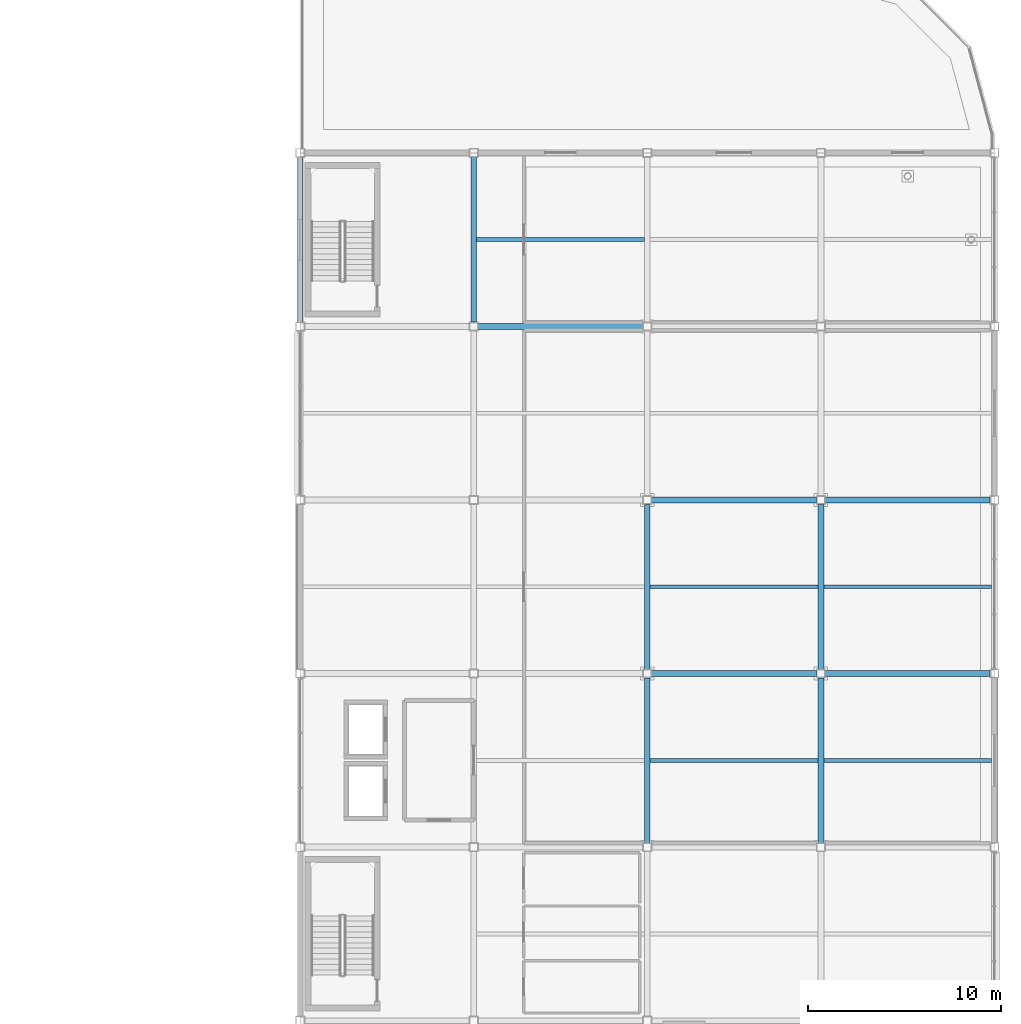
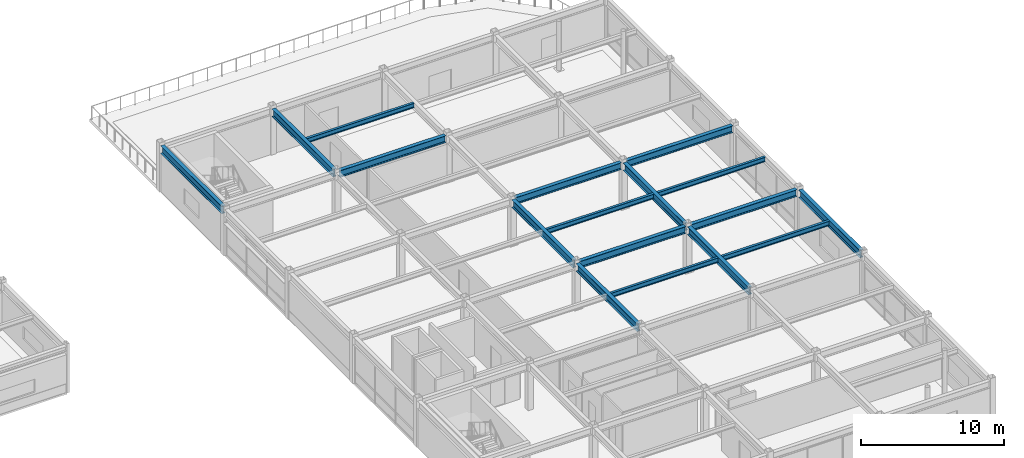
# One storey, part 59 of 108: 17 beams.
"""IFC4 building model written with IfcOpenShell, lengths in metres."""

from ifc_helpers import new_model, si_unit, direction, frame, origin, origin_2d, place, context, subcontext, project, spatial, i_section, extrude, material, material_profile, profile_set, type_object, element, save


model = new_model("IFC4")

# Units and contexts
model_context = context("Model", 3, precision=1e-05, world=origin(), true_north=direction((0.0, 1.0)))
body_context = subcontext(model_context, "Body", "Model", "MODEL_VIEW")
ifc_project = project(units=[si_unit("LENGTHUNIT", "METRE"), si_unit("AREAUNIT", "SQUARE_METRE"), si_unit("VOLUMEUNIT", "CUBIC_METRE"), si_unit("PLANEANGLEUNIT", "RADIAN"), si_unit("MASSUNIT", "GRAM", prefix="KILO")], contexts=[model_context])

# Site, building, storey
site_placement = place(None, origin())
site = spatial("IfcSite", under=ifc_project, at=site_placement, CompositionType="ELEMENT")
building_placement = place(site_placement, origin())
building = spatial("IfcBuilding", under=site, at=building_placement, Name="Suzunagisa Mobility Hub", CompositionType="ELEMENT")
storey_placement = place(building_placement, frame((0.0, 0.0, 9.300048828125)))
storey = spatial("IfcBuildingStorey", under=building, at=storey_placement, Name="L02", CompositionType="ELEMENT", Elevation=9.300048828125)

# Beams
ifc_material_1 = material(Name="Steel SN490B", Category="steel")
ifc_material_profile_1 = material_profile(ifc_material_1, i_section(OverallWidth=0.300048828125, OverallDepth=0.64990234375, WebThickness=0.012939453125, FlangeThickness=0.02197265625, FilletRadius=0.01611328125, at=origin_2d()), Name="H-650x300x13x22")
ifc_profile_set_1 = profile_set([ifc_material_profile_1], Name="Steel SN490B")
beam_type_1 = type_object("IfcBeamType", Name="Steel Beam BM-10 H-650x300x13x22", PredefinedType="BEAM", material=ifc_profile_set_1)
for number, where, z_axis, x_axis, name in (
    (1, (144.0, 89.220947265625, 3.625), (0.0, 1.0, 0.0), (-1.0, 0.0, 0.0), "L02 Primary Girder GY-1917"),
    (2, (153.0, 89.220947265625, 3.625), (0.0, 1.0, 0.0), (-1.0, 0.0, 0.0), "L02 Primary Girder GY-1923"),
    (3, (162.0, 62.220947265625, 3.625), (0.0, 1.0, 0.0), (-1.0, 0.0, 0.0), "L02 Primary Girder GY-1926"),
    (4, (162.0, 71.220947265625, 3.625), (0.0, 1.0, 0.0), (-1.0, 0.0, 0.0), "L02 Primary Girder GY-1927"),
    (5, (171.0, 62.220947265625, 3.625), (0.0, 1.0, 0.0), (-1.0, 0.0, 0.0), "L02 Primary Girder GY-1932"),
    (6, (171.0, 71.220947265625, 3.625), (0.0, 1.0, 0.0), (-1.0, 0.0, 0.0), "L02 Primary Girder GY-1933"),
    (7, (180.0, 62.220947265625, 3.625), (0.0, 1.0, 0.0), (-1.0, 0.0, 0.0), "L02 Primary Girder GY-1938"),
):
    element("IfcBeam", number, at=place(storey_placement, frame(where, z_axis=z_axis, x_axis=x_axis)), inside=storey, type_object=beam_type_1, Name=name, PredefinedType="BEAM", context=body_context, shape_type="SweptSolid", body=[
        extrude(i_section(OverallWidth=0.300048828125, OverallDepth=0.64990234375, WebThickness=0.012939453125, FlangeThickness=0.02197265625, FilletRadius=0.01611328125, at=origin_2d()), origin(), (0.0, 0.0, 1.0), 8.55810546875),
    ])
ifc_material_2 = material(Name="Steel SN400B", Category="steel")
ifc_material_profile_2 = material_profile(ifc_material_2, i_section(OverallWidth=0.199951171875, OverallDepth=0.39990234375, WebThickness=0.008056640625, FlangeThickness=0.012939453125, FilletRadius=0.012939453125, at=origin_2d()), Name="H-400x200x8x13")
ifc_profile_set_2 = profile_set([ifc_material_profile_2], Name="Steel SN400B")
beam_type_2 = type_object("IfcBeamType", Name="Steel Beam BM-14 H-400x200x8x13", PredefinedType="JOIST", material=ifc_profile_set_2)
for number, where, z_axis, x_axis, name in (
    (8, (153.14990234375, 93.5, 3.75), (1.0, 0.0, 0.0), (0.0, 1.0, 0.0), "L02 Composite Floor Joist J-1950"),
    (9, (162.14990234375, 66.5, 3.75), (1.0, 0.0, 0.0), (0.0, 1.0, 0.0), "L02 Composite Floor Joist J-1952"),
    (10, (162.14990234375, 75.5, 3.75), (1.0, 0.0, 0.0), (0.0, 1.0, 0.0), "L02 Composite Floor Joist J-1953"),
    (11, (171.14990234375, 66.5, 3.75), (1.0, 0.0, 0.0), (0.0, 1.0, 0.0), "L02 Composite Floor Joist J-1958"),
    (12, (171.14990234375, 75.5, 3.75), (1.0, 0.0, 0.0), (0.0, 1.0, 0.0), "L02 Composite Floor Joist J-1959"),
):
    element("IfcBeam", number, at=place(storey_placement, frame(where, z_axis=z_axis, x_axis=x_axis)), inside=storey, type_object=beam_type_2, Name=name, PredefinedType="JOIST", context=body_context, shape_type="SweptSolid", body=[
        extrude(i_section(OverallWidth=0.199951171875, OverallDepth=0.39990234375, WebThickness=0.008056640625, FlangeThickness=0.012939453125, FilletRadius=0.012939453125, at=origin_2d()), origin(), (0.0, 0.0, 1.0), 8.7001953125),
    ])
ifc_material_profile_3 = material_profile(ifc_material_1, i_section(OverallWidth=0.300048828125, OverallDepth=0.587890625, WebThickness=0.011962890625, FlangeThickness=0.02001953125, FilletRadius=0.012939453125, at=origin_2d()), Name="H-588x300x12x20")
ifc_profile_set_3 = profile_set([ifc_material_profile_3], Name="Steel SN490B")
beam_type_3 = type_object("IfcBeamType", Name="Steel Beam BM-16 H-588x300x12x20", PredefinedType="BEAM", material=ifc_profile_set_3)
for number, where, z_axis, x_axis, name in (
    (13, (162.220947265625, 71.0, 3.656005859375), (1.0, 0.0, 0.0), (0.0, 1.0, 0.0), "L02 Primary Girder GX-1898"),
    (14, (171.220947265625, 71.0, 3.656005859375), (1.0, 0.0, 0.0), (0.0, 1.0, 0.0), "L02 Primary Girder GX-1899"),
    (15, (162.220947265625, 80.0, 3.656005859375), (1.0, 0.0, 0.0), (0.0, 1.0, 0.0), "L02 Primary Girder GX-1902"),
    (16, (171.220947265625, 80.0, 3.656005859375), (1.0, 0.0, 0.0), (0.0, 1.0, 0.0), "L02 Primary Girder GX-1903"),
    (17, (153.220947265625, 89.0, 3.656005859375), (1.0, 0.0, 0.0), (0.0, 1.0, 0.0), "L02 Primary Girder GX-1905"),
):
    element("IfcBeam", number, at=place(storey_placement, frame(where, z_axis=z_axis, x_axis=x_axis)), inside=storey, type_object=beam_type_3, Name=name, PredefinedType="BEAM", context=body_context, shape_type="SweptSolid", body=[
        extrude(i_section(OverallWidth=0.300048828125, OverallDepth=0.587890625, WebThickness=0.011962890625, FlangeThickness=0.02001953125, FilletRadius=0.012939453125, at=origin_2d()), origin(), (0.0, 0.0, 1.0), 8.55810546875),
    ])

save(model, "model.ifc")
